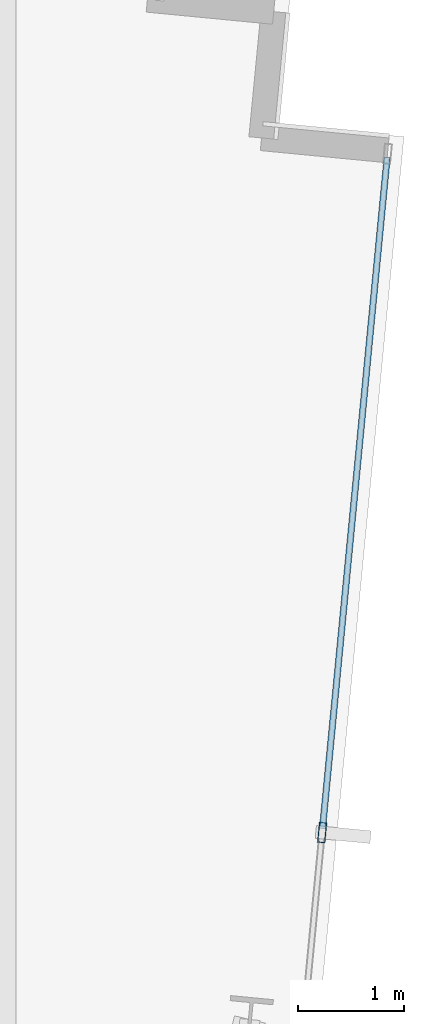
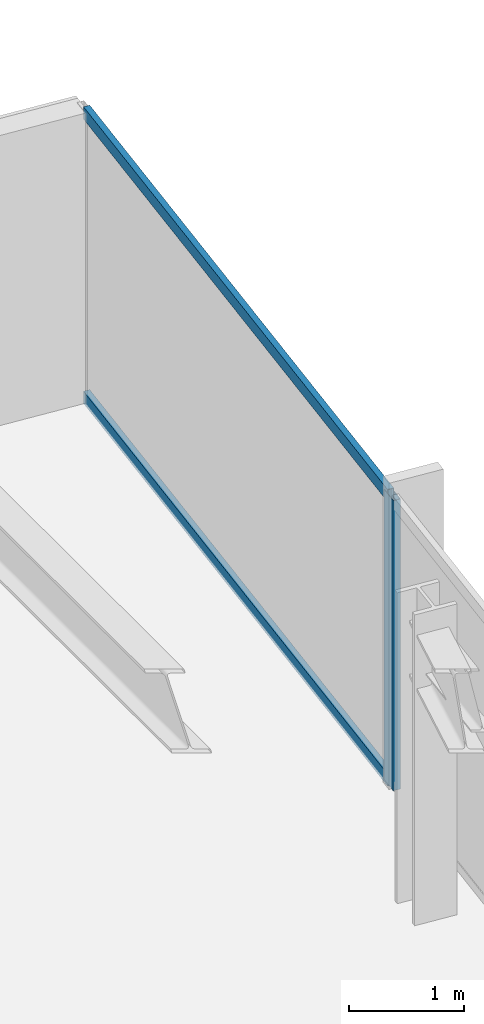
# One storey, part 20 of 38: 3 members, 1 element without a shape of its own.
"""IFC4 building model written with IfcOpenShell, lengths in metres."""

import ifcopenshell
import ifcopenshell.guid

model = None  # the IFC model being written
_history = None  # IfcOwnerHistory: only IFC2X3 demands one
_inside = {}  # id of a spatial element -> (the spatial element, [elements in it])
_under = {}  # id of a project, library or spatial element -> (it, [spatial elements below it])
_declared = {}  # id of a project -> (the project, [libraries it declares])
_typed = {}  # id of a type object -> (the type object, [elements of that type])
_made_of = {}  # id of a material, layer set ... -> (it, [elements and type objects made of it])


def new_model(schema):
    """Start an empty IFC model of exactly this schema.

    Asked for "IFC4X3", IfcOpenShell would pick the latest addendum, in which some entities
    have other attributes; the version numbers below select the first issue.
    IFC2X3 requires an IfcOwnerHistory on every rooted entity: one is made here for all.
    """
    global model, _history
    if schema == "IFC4X3":
        model = ifcopenshell.file(schema_version=(4, 3, 0, 0))
    else:
        model = ifcopenshell.file(schema=schema)
    _inside.clear()
    _under.clear()
    _declared.clear()
    _typed.clear()
    _made_of.clear()
    _history = None
    if model.schema == "IFC2X3":
        org = make("IfcOrganization", Name="unknown")
        user = make(
            "IfcPersonAndOrganization",
            ThePerson=make("IfcPerson", FamilyName="unknown"),
            TheOrganization=org,
        )
        app = make(
            "IfcApplication",
            ApplicationDeveloper=org,
            Version="unknown",
            ApplicationFullName="unknown",
            ApplicationIdentifier="unknown",
        )
        _history = make(
            "IfcOwnerHistory",
            OwningUser=user,
            OwningApplication=app,
            ChangeAction="ADDED",
            CreationDate=0,
        )
    return model


def make(cls, **values):
    """One entity of the class cls with the attributes given. An attribute that is None is left unset."""
    return model.create_entity(
        cls, **{name: value for name, value in values.items() if value is not None}
    )


def rooted(cls, **values):
    """An entity with a GlobalId (a new one), such as an element, a storey or a relation."""
    return make(cls, GlobalId=ifcopenshell.guid.new(), OwnerHistory=_history, **values)


def si_unit(unit_type, name, prefix=None):
    """IfcSIUnit, for example si_unit("LENGTHUNIT", "METRE", prefix="MILLI")."""
    return make("IfcSIUnit", UnitType=unit_type, Prefix=prefix, Name=name)


def assignment(units):
    """IfcUnitAssignment: the units of a project."""
    return None if units is None else make("IfcUnitAssignment", Units=units)


def point(xyz):
    """IfcCartesianPoint."""
    return None if xyz is None else make("IfcCartesianPoint", Coordinates=xyz)


def direction(xyz):
    """IfcDirection."""
    return None if xyz is None else make("IfcDirection", DirectionRatios=xyz)


def frame(location, z_axis=None, x_axis=None):
    """IfcAxis2Placement3D, a coordinate frame: its origin and axes. An axis left out is left unset."""
    return make(
        "IfcAxis2Placement3D",
        Location=point(location),
        Axis=direction(z_axis),
        RefDirection=direction(x_axis),
    )


def frame_2d(location, x_axis=None):
    """IfcAxis2Placement2D, a coordinate frame in the plane: its origin and x axis."""
    return make(
        "IfcAxis2Placement2D", Location=point(location), RefDirection=direction(x_axis)
    )


def origin():
    """The frame at (0, 0, 0) with its axes left unset."""
    return frame((0.0, 0.0, 0.0))


def origin_2d():
    """The frame at (0, 0) in the plane with its x axis left unset."""
    return frame_2d((0.0, 0.0))


def place(relative_to, where):
    """IfcLocalPlacement: puts the frame where relative to a parent placement (None: the world)."""
    return make(
        "IfcLocalPlacement", PlacementRelTo=relative_to, RelativePlacement=where
    )


def context(
    kind, dimensions, precision=None, world=None, true_north=None, identifier=None
):
    """IfcGeometricRepresentationContext, for example the 3D "Model" context."""
    return make(
        "IfcGeometricRepresentationContext",
        ContextIdentifier=identifier,
        ContextType=kind,
        CoordinateSpaceDimension=dimensions,
        Precision=precision,
        WorldCoordinateSystem=world,
        TrueNorth=true_north,
    )


def subcontext(parent, identifier, kind, view, scale=None):
    """IfcGeometricRepresentationSubContext, for example "Body" below "Model"."""
    return make(
        "IfcGeometricRepresentationSubContext",
        ContextIdentifier=identifier,
        ContextType=kind,
        ParentContext=parent,
        TargetScale=scale,
        TargetView=view,
    )


def project(units=None, contexts=None):
    """IfcProject with its units and contexts."""
    return rooted(
        "IfcProject",
        Name="project",
        RepresentationContexts=contexts,
        UnitsInContext=assignment(units),
    )


def spatial(cls, under=None, at=None, **own):
    """A site, building, storey or space (cls), placed at a placement, below another one or the project."""
    s = rooted(cls, ObjectPlacement=at, **own)
    if under is not None:
        _under.setdefault(under.id(), (under, []))[1].append(s)
    return s


def profile(cls, at=None, kind="AREA", **sizes):
    """A parametric profile (cls). Its sizes go by their IFC names, for example OverallWidth=200.0."""
    return make(cls, ProfileType=kind, Position=at, **sizes)


def hollow_rectangle(**sizes):
    """IfcRectangleHollowProfileDef."""
    return profile("IfcRectangleHollowProfileDef", **sizes)


def extrude(swept, where, along, depth):
    """IfcExtrudedAreaSolid: the profile swept, set in the frame where, extruded along a direction by depth."""
    return make(
        "IfcExtrudedAreaSolid",
        SweptArea=swept,
        Position=where,
        ExtrudedDirection=direction(along),
        Depth=depth,
    )


def shape(context_of_items, identifier, shape_type, items):
    """IfcShapeRepresentation: the items that make up one representation, for example the "Body"."""
    return make(
        "IfcShapeRepresentation",
        ContextOfItems=context_of_items,
        RepresentationIdentifier=identifier,
        RepresentationType=shape_type,
        Items=items,
    )


def material(Name=None, Category=None):
    """IfcMaterial."""
    return make("IfcMaterial", Name=Name, Category=Category)


def material_profile(
    of_material, cross_section, Name=None, Category=None, Priority=None
):
    """IfcMaterialProfile: a cross section and its material."""
    return make(
        "IfcMaterialProfile",
        Name=Name,
        Material=of_material,
        Profile=cross_section,
        Priority=Priority,
        Category=Category,
    )


def profile_set(profiles, Name=None, composite=None):
    """IfcMaterialProfileSet."""
    return make(
        "IfcMaterialProfileSet",
        Name=Name,
        MaterialProfiles=profiles,
        CompositeProfile=composite,
    )


def made_of(thing, what):
    """Note that an element or type object is made of a material, layer set ...; save() writes the relation."""
    if what is not None:
        _made_of.setdefault(what.id(), (what, []))[1].append(thing)
    return thing


def type_object(cls, material=None, **own):
    """A type object (cls), such as IfcWallType, which elements share."""
    return made_of(rooted(cls, **own), material)


def element(
    cls,
    number,
    at=None,
    inside=None,
    cuts=None,
    type_object=None,
    material=None,
    context=None,
    identifier="Body",
    shape_type=None,
    held_by="IfcProductDefinitionShape",
    body=None,
    shapes=None,
    **own,
):
    """One element of the class cls, such as IfcWall. Its Tag is "e" and its number.

    at: its placement. inside: the storey or other place that contains it. cuts: it is an
    opening in that element (IfcRelVoidsElement). A single representation is given by context,
    identifier, shape_type and body (its items); several are given by shapes. held_by: the class
    of the entity that holds the representations. save() writes the other relations.
    """
    e = rooted(cls, Tag="e%d" % number, ObjectPlacement=at, **own)
    if body is not None:
        shapes = [shape(context, identifier, shape_type, body)]
    if shapes is not None:
        e.Representation = make(held_by, Representations=shapes)
    if inside is not None:
        _inside.setdefault(inside.id(), (inside, []))[1].append(e)
    if cuts is not None:
        rooted(
            "IfcRelVoidsElement", RelatingBuildingElement=cuts, RelatedOpeningElement=e
        )
    if type_object is not None:
        _typed.setdefault(type_object.id(), (type_object, []))[1].append(e)
    return made_of(e, material)


def aggregate(whole, parts):
    """IfcRelAggregates: a whole, such as a stair, and the parts it consists of."""
    return rooted("IfcRelAggregates", RelatingObject=whole, RelatedObjects=parts)


def save(model, path):
    """Write the relations noted so far, then the file.

    IfcRelAggregates (storeys below a building ...), IfcRelContainedInSpatialStructure (elements
    in a storey), IfcRelDefinesByType, IfcRelAssociatesMaterial and IfcRelDeclares: one each for
    every whole, place, type object, material and project.
    """
    for whole, parts in _under.values():
        aggregate(whole, parts)
    for where, things in _inside.values():
        rooted(
            "IfcRelContainedInSpatialStructure",
            RelatedElements=things,
            RelatingStructure=where,
        )
    for kind, things in _typed.values():
        rooted("IfcRelDefinesByType", RelatedObjects=things, RelatingType=kind)
    for what, things in _made_of.values():
        rooted("IfcRelAssociatesMaterial", RelatedObjects=things, RelatingMaterial=what)
    for by, libraries in _declared.values():
        rooted("IfcRelDeclares", RelatingContext=by, RelatedDefinitions=libraries)
    model.write(path)


model = new_model("IFC4")

# Units and contexts
model_context = context("Model", 3, precision=1e-05, world=origin(), true_north=direction((0.0, 1.0)))
body_context = subcontext(model_context, "Body", "Model", "MODEL_VIEW")
ifc_project = project(units=[si_unit("LENGTHUNIT", "METRE"), si_unit("AREAUNIT", "SQUARE_METRE"), si_unit("VOLUMEUNIT", "CUBIC_METRE"), si_unit("PLANEANGLEUNIT", "RADIAN"), si_unit("MASSUNIT", "GRAM", prefix="KILO")], contexts=[model_context])

# Site, building, storey
site_placement = place(None, origin())
site = spatial("IfcSite", under=ifc_project, at=site_placement, CompositionType="ELEMENT")
building_placement = place(site_placement, origin())
building = spatial("IfcBuilding", under=site, at=building_placement, Name="Yelkora Congress Tower", CompositionType="ELEMENT")
storey_placement = place(building_placement, frame((0.0, 0.0, 178.699951171875)))
storey = spatial("IfcBuildingStorey", under=building, at=storey_placement, Name="L49", CompositionType="ELEMENT", Elevation=178.699951171875)

# Curtain wall, members
ifc_material_1 = material(Name="Anodised aluminium and insulated glass", Category="aluminium")
curtain_wall_type = type_object("IfcCurtainWallType", Name="CW-SYS-B3", PredefinedType="NOTDEFINED", material=ifc_material_1)
curtain_wall_placement = place(storey_placement, origin())
curtain_wall = element("IfcCurtainWall", 1, at=curtain_wall_placement, inside=storey, type_object=curtain_wall_type, Name="L49 Unitised Curtain Wall 15", PredefinedType="NOTDEFINED")
ifc_material_2 = material(Name="Anodised aluminium 6063-T6", Category="aluminium")
ifc_material_profile_1 = material_profile(ifc_material_2, hollow_rectangle(XDim=0.070068359375, YDim=0.18994140625, WallThickness=0.00390625, at=origin_2d()), Name="ALU 70x190x4")
ifc_profile_set_1 = profile_set([ifc_material_profile_1], Name="Anodised aluminium 6063-T6")
member_type_1 = type_object("IfcMemberType", Name="MEM-ML-B3", PredefinedType="MULLION", material=ifc_profile_set_1)
member_1_placement = place(storey_placement, frame((60.646240234375, 36.849853515625, 0.0), z_axis=(0.0, 0.0, 1.0), x_axis=(0.995396565076, -0.095841944023, 0.0)))
member_1 = element("IfcMember", 2, at=member_1_placement, type_object=member_type_1, Name="CW-B3 mullion 2", PredefinedType="MULLION", context=body_context, shape_type="SweptSolid", body=[
    extrude(hollow_rectangle(XDim=0.070068359375, YDim=0.18994140625, WallThickness=0.00390625, at=origin_2d()), origin(), (0.0, 0.0, 1.0), 3.080078125),
])
ifc_material_profile_2 = material_profile(ifc_material_2, hollow_rectangle(XDim=0.06005859375, YDim=0.1298828125, WallThickness=0.00390625, at=origin_2d()), Name="ALU 60x130x4")
ifc_profile_set_2 = profile_set([ifc_material_profile_2], Name="Anodised aluminium 6063-T6")
member_type_2 = type_object("IfcMemberType", Name="MEM-TR-B3", PredefinedType="USERDEFINED", material=ifc_profile_set_2)
member_2_placement = place(storey_placement, frame((61.260986328125, 43.234375, 0.030029296875), z_axis=(-0.095872844558, -0.995393589329, 0.0), x_axis=(0.995393589329, -0.095872844558, 0.0)))
member_2 = element("IfcMember", 3, at=member_2_placement, type_object=member_type_2, Name="CW-B3 transom 1.1", ObjectType="TRANSOM", PredefinedType="USERDEFINED", context=body_context, shape_type="SweptSolid", body=[
    extrude(hollow_rectangle(XDim=0.06005859375, YDim=0.1298828125, WallThickness=0.00390625, at=origin_2d()), origin(), (0.0, 0.0, 1.0), 6.37890625),
])
member_3_placement = place(storey_placement, frame((61.260986328125, 43.234375, 3.050048828125), z_axis=(-0.095872844558, -0.995393589329, 0.0), x_axis=(0.995393589329, -0.095872844558, 0.0)))
member_3 = element("IfcMember", 4, at=member_3_placement, type_object=member_type_2, Name="CW-B3 transom 1.2", ObjectType="TRANSOM", PredefinedType="USERDEFINED", context=body_context, shape_type="SweptSolid", body=[
    extrude(hollow_rectangle(XDim=0.06005859375, YDim=0.1298828125, WallThickness=0.00390625, at=origin_2d()), origin(), (0.0, 0.0, 1.0), 6.37890625),
])
aggregate(curtain_wall, [member_1, member_2, member_3])

save(model, "model.ifc")
